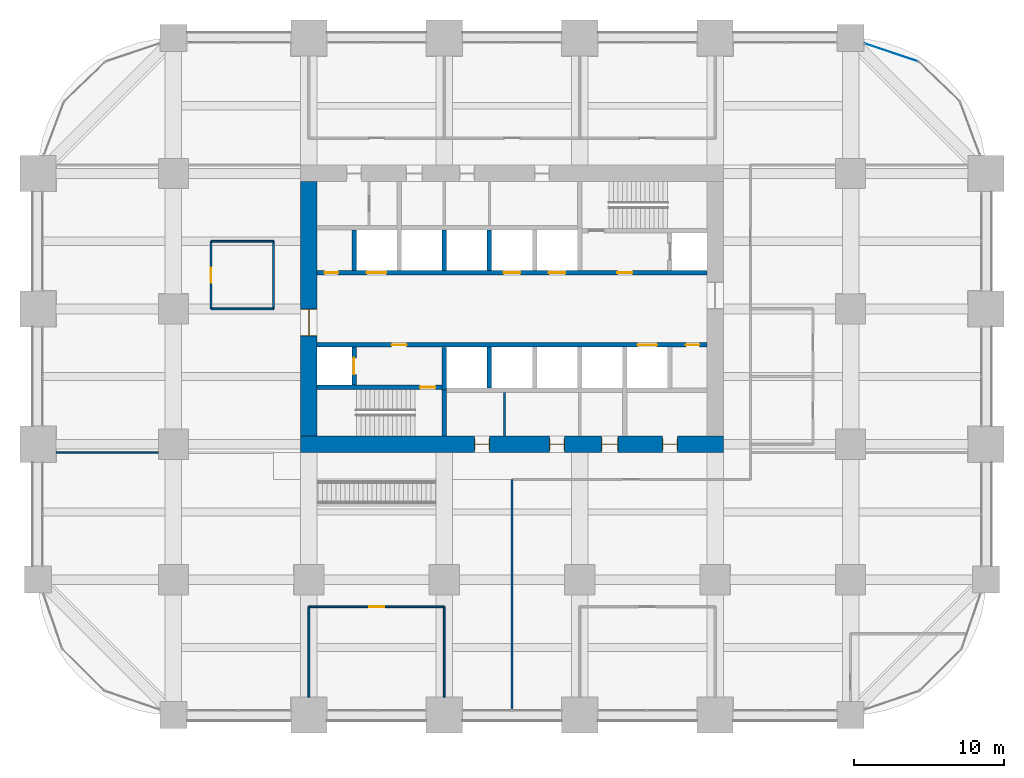
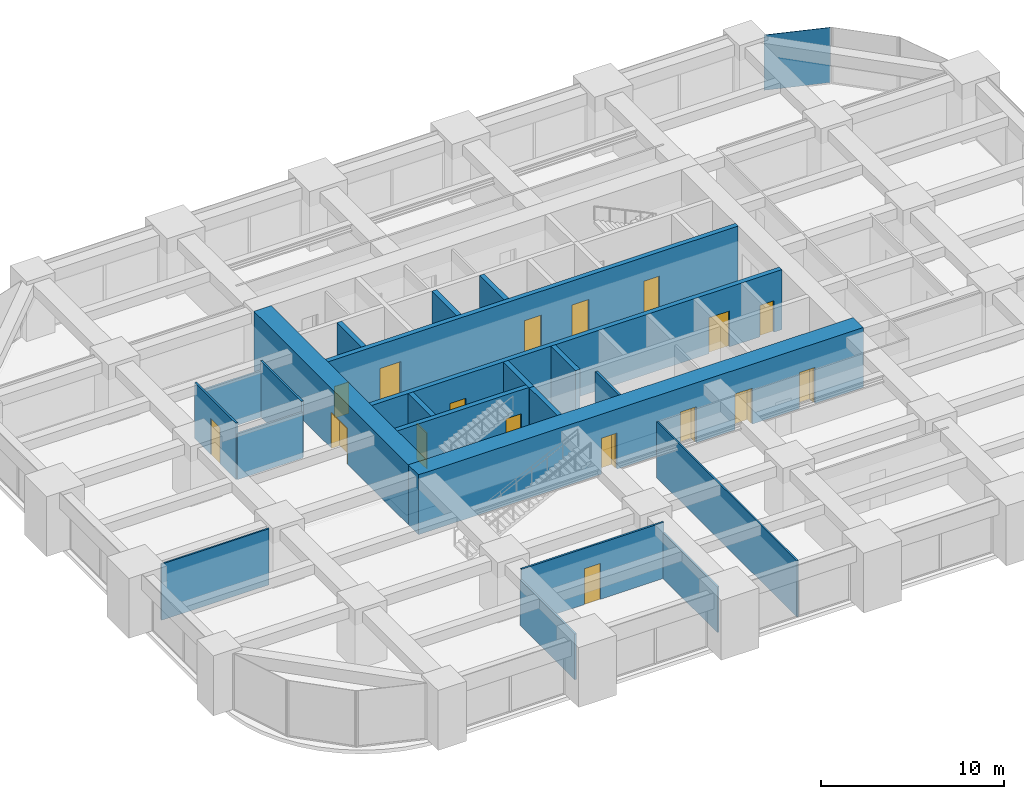
# One storey, part 36 of 39: 22 walls, 17 doors, 1 plate, 17 openings, 1 element without a shape of its own.
"""IFC4 building model written with IfcOpenShell, lengths in metres."""

from ifc_helpers import new_model, si_unit, direction, frame, frame_2d, origin, origin_2d, place, context, subcontext, project, spatial, rectangle, extrude, material, layer, layer_set, type_object, element, fill, aggregate, save


model = new_model("IFC4")

# Units and contexts
model_context = context("Model", 3, precision=1e-05, world=origin(), true_north=direction((0.0, 1.0)))
body_context = subcontext(model_context, "Body", "Model", "MODEL_VIEW")
ifc_project = project(units=[si_unit("LENGTHUNIT", "METRE"), si_unit("AREAUNIT", "SQUARE_METRE"), si_unit("VOLUMEUNIT", "CUBIC_METRE"), si_unit("PLANEANGLEUNIT", "RADIAN"), si_unit("MASSUNIT", "GRAM", prefix="KILO")], contexts=[model_context])

# Site, building, storey
site_placement = place(None, origin())
site = spatial("IfcSite", under=ifc_project, at=site_placement, CompositionType="ELEMENT")
building_placement = place(site_placement, origin())
building = spatial("IfcBuilding", under=site, at=building_placement, Name="Zorevar Civic Tower", CompositionType="ELEMENT")
storey_placement = place(building_placement, frame((0.0, 0.0, 117.0)))
storey = spatial("IfcBuildingStorey", under=building, at=storey_placement, Name="L28", CompositionType="ELEMENT", Elevation=117.0)

# Curtain wall, plate
ifc_material_1 = material(Name="Dark grey solar-control glass in black aluminium frame", Category="aluminium")
curtain_wall_type = type_object("IfcCurtainWallType", Name="Curtain wall CW3 mid zone", PredefinedType="NOTDEFINED", material=ifc_material_1)
curtain_wall_placement = place(storey_placement, origin())
curtain_wall = element("IfcCurtainWall", 1, at=curtain_wall_placement, inside=storey, type_object=curtain_wall_type, Name="CW3 L28", PredefinedType="NOTDEFINED")
ifc_material_2 = material(Name="Dark grey solar-control glass", Category="glass")
ifc_layer_1 = layer(ifc_material_2, 0.030029296875)
ifc_layer_set_1 = layer_set([ifc_layer_1], Name="CW3 panel 30")
plate_type = type_object("IfcPlateType", Name="CW3 panel 30", PredefinedType="CURTAIN_PANEL", material=ifc_layer_set_1)
plate_placement = place(storey_placement, frame((56.7109375, 44.04296875, 0.06005859375), z_axis=(0.0, 0.0, 1.0), x_axis=(-0.947615765406, 0.319412525043, 0.0)))
plate = element("IfcPlate", 2, at=plate_placement, type_object=plate_type, Name="CW3 panel 1.1", PredefinedType="CURTAIN_PANEL", context=body_context, shape_type="SweptSolid", body=[
    extrude(rectangle(XDim=3.7021484375, YDim=0.030029296875, at=origin_2d()), origin(), (0.0, 0.0, 1.0), 3.68994140625),
])
aggregate(curtain_wall, [plate])

# Wall, openings, doors
ifc_material_3 = material(Name="Concrete C50/60", Category="concrete")
ifc_layer_2 = layer(ifc_material_3, 1.10009765625)
ifc_layer_set_2 = layer_set([ifc_layer_2], Name="Core wall 1100")
wall_type_1 = type_object("IfcWallType", Name="Core wall 1100", PredefinedType="SHEAR", material=ifc_layer_set_2)
wall_1_placement = place(storey_placement, frame((17.449951171875, 18.0, 0.0), z_axis=(0.0, 0.0, 1.0), x_axis=(1.0, 0.0, 0.0)))
wall_1 = element("IfcWall", 3, at=wall_1_placement, inside=storey, type_object=wall_type_1, Name="Core wall S L28", PredefinedType="SHEAR", context=body_context, shape_type="SweptSolid", body=[
    extrude(rectangle(XDim=28.10009765625, YDim=1.10009765625, at=frame_2d((14.050048828125, 0.0))), origin(), (0.0, 0.0, 1.0), 4.0),
])
opening_1_placement = place(wall_1_placement, frame((11.550048828125, 0.0, 0.0)))
opening_1 = element("IfcOpeningElement", 4, at=opening_1_placement, cuts=wall_1, Name="Opening L28.03", PredefinedType="OPENING", context=body_context, shape_type="SweptSolid", body=[
    extrude(rectangle(XDim=1.0, YDim=2.39990234375, at=frame_2d((0.5, 1.199951171875))), frame((0.0, 0.56005859375, 0.0), z_axis=(0.0, -1.0, 0.0), x_axis=(1.0, 0.0, 0.0)), (0.0, 0.0, 1.0), 1.1201171875),
])
opening_2_placement = place(wall_1_placement, frame((16.550048828125, 0.0, 0.0)))
opening_2 = element("IfcOpeningElement", 5, at=opening_2_placement, cuts=wall_1, Name="Opening L28.04", PredefinedType="OPENING", context=body_context, shape_type="SweptSolid", body=[
    extrude(rectangle(XDim=1.0, YDim=2.39990234375, at=frame_2d((0.5, 1.199951171875))), frame((0.0, 0.56005859375, 0.0), z_axis=(0.0, -1.0, 0.0), x_axis=(1.0, 0.0, 0.0)), (0.0, 0.0, 1.0), 1.1201171875),
])
opening_3_placement = place(wall_1_placement, frame((20.0, 0.0, 0.0)))
opening_3 = element("IfcOpeningElement", 6, at=opening_3_placement, cuts=wall_1, Name="Opening L28.05", PredefinedType="OPENING", context=body_context, shape_type="SweptSolid", body=[
    extrude(rectangle(XDim=1.10009765625, YDim=2.39990234375, at=frame_2d((0.550048828125, 1.199951171875))), frame((0.0, 0.56005859375, 0.0), z_axis=(0.0, -1.0, 0.0), x_axis=(1.0, 0.0, 0.0)), (0.0, 0.0, 1.0), 1.1201171875),
])
opening_4_placement = place(wall_1_placement, frame((24.050048828125, 0.0, 0.0)))
opening_4 = element("IfcOpeningElement", 7, at=opening_4_placement, cuts=wall_1, Name="Opening L28.06", PredefinedType="OPENING", context=body_context, shape_type="SweptSolid", body=[
    extrude(rectangle(XDim=1.0, YDim=2.39990234375, at=frame_2d((0.5, 1.199951171875))), frame((0.0, 0.56005859375, 0.0), z_axis=(0.0, -1.0, 0.0), x_axis=(1.0, 0.0, 0.0)), (0.0, 0.0, 1.0), 1.1201171875),
])
ifc_material_4 = material(Name="Timber door set", Category="wood")
door_type_1 = type_object("IfcDoorType", Name="Door D1 1000x2400", OperationType="SINGLE_SWING_LEFT", PredefinedType="DOOR", material=ifc_material_4)
door_1_placement = place(opening_1_placement, origin())
door_1 = element("IfcDoor", 8, at=door_1_placement, inside=storey, type_object=door_type_1, Name="Door L28 02", OperationType="SINGLE_SWING_RIGHT", OverallHeight=2.39990234375, OverallWidth=1.0, PredefinedType="DOOR", context=body_context, shape_type="SweptSolid", body=[
    extrude(rectangle(XDim=1.0, YDim=2.39990234375, at=frame_2d((0.5, 1.199951171875))), frame((0.0, 0.02490234375, 0.0), z_axis=(0.0, -1.0, 0.0), x_axis=(1.0, 0.0, 0.0)), (0.0, 0.0, 1.0), 0.050048828125),
    extrude(rectangle(XDim=0.04, YDim=2.39990234375, at=frame_2d((0.02001953125, 1.199951171875))), frame((0.0, 0.39990234375, 0.0), z_axis=(0.0, -1.0, 0.0), x_axis=(1.0, 0.0, 0.0)), (0.0, 0.0, 1.0), 0.800048828125),
    extrude(rectangle(XDim=0.04, YDim=2.39990234375, at=frame_2d((0.97998046875, 1.199951171875))), frame((0.0, 0.39990234375, 0.0), z_axis=(0.0, -1.0, 0.0), x_axis=(1.0, 0.0, 0.0)), (0.0, 0.0, 1.0), 0.800048828125),
    extrude(rectangle(XDim=1.0, YDim=0.04, at=frame_2d((0.5, 2.3798828125))), frame((0.0, 0.39990234375, 0.0), z_axis=(0.0, -1.0, 0.0), x_axis=(1.0, 0.0, 0.0)), (0.0, 0.0, 1.0), 0.800048828125),
])
fill(opening_1, door_1)
door_2_placement = place(opening_2_placement, origin())
door_2 = element("IfcDoor", 9, at=door_2_placement, inside=storey, type_object=door_type_1, Name="Door L28 03", OperationType="SINGLE_SWING_LEFT", OverallHeight=2.39990234375, OverallWidth=1.0, PredefinedType="DOOR", context=body_context, shape_type="SweptSolid", body=[
    extrude(rectangle(XDim=1.0, YDim=2.39990234375, at=frame_2d((0.5, 1.199951171875))), frame((0.0, 0.02490234375, 0.0), z_axis=(0.0, -1.0, 0.0), x_axis=(1.0, 0.0, 0.0)), (0.0, 0.0, 1.0), 0.050048828125),
    extrude(rectangle(XDim=0.04, YDim=2.39990234375, at=frame_2d((0.02001953125, 1.199951171875))), frame((0.0, 0.39990234375, 0.0), z_axis=(0.0, -1.0, 0.0), x_axis=(1.0, 0.0, 0.0)), (0.0, 0.0, 1.0), 0.800048828125),
    extrude(rectangle(XDim=0.04, YDim=2.39990234375, at=frame_2d((0.97998046875, 1.199951171875))), frame((0.0, 0.39990234375, 0.0), z_axis=(0.0, -1.0, 0.0), x_axis=(1.0, 0.0, 0.0)), (0.0, 0.0, 1.0), 0.800048828125),
    extrude(rectangle(XDim=1.0, YDim=0.04, at=frame_2d((0.5, 2.3798828125))), frame((0.0, 0.39990234375, 0.0), z_axis=(0.0, -1.0, 0.0), x_axis=(1.0, 0.0, 0.0)), (0.0, 0.0, 1.0), 0.800048828125),
])
fill(opening_2, door_2)
door_3_placement = place(opening_4_placement, origin())
door_3 = element("IfcDoor", 10, at=door_3_placement, inside=storey, type_object=door_type_1, Name="Door L28 05", OperationType="SINGLE_SWING_LEFT", OverallHeight=2.39990234375, OverallWidth=1.0, PredefinedType="DOOR", context=body_context, shape_type="SweptSolid", body=[
    extrude(rectangle(XDim=1.0, YDim=2.39990234375, at=frame_2d((0.5, 1.199951171875))), frame((0.0, 0.02490234375, 0.0), z_axis=(0.0, -1.0, 0.0), x_axis=(1.0, 0.0, 0.0)), (0.0, 0.0, 1.0), 0.050048828125),
    extrude(rectangle(XDim=0.04, YDim=2.39990234375, at=frame_2d((0.02001953125, 1.199951171875))), frame((0.0, 0.39990234375, 0.0), z_axis=(0.0, -1.0, 0.0), x_axis=(1.0, 0.0, 0.0)), (0.0, 0.0, 1.0), 0.800048828125),
    extrude(rectangle(XDim=0.04, YDim=2.39990234375, at=frame_2d((0.97998046875, 1.199951171875))), frame((0.0, 0.39990234375, 0.0), z_axis=(0.0, -1.0, 0.0), x_axis=(1.0, 0.0, 0.0)), (0.0, 0.0, 1.0), 0.800048828125),
    extrude(rectangle(XDim=1.0, YDim=0.04, at=frame_2d((0.5, 2.3798828125))), frame((0.0, 0.39990234375, 0.0), z_axis=(0.0, -1.0, 0.0), x_axis=(1.0, 0.0, 0.0)), (0.0, 0.0, 1.0), 0.800048828125),
])
fill(opening_4, door_3)
ifc_material_5 = material(Name="Timber door set", Category="wood")
door_type_2 = type_object("IfcDoorType", Name="Door D5 1100x2400", OperationType="SINGLE_SWING_LEFT", PredefinedType="DOOR", material=ifc_material_5)
door_4_placement = place(opening_3_placement, origin())
door_4 = element("IfcDoor", 11, at=door_4_placement, inside=storey, type_object=door_type_2, Name="Door L28 04", OperationType="SINGLE_SWING_LEFT", OverallHeight=2.39990234375, OverallWidth=1.10009765625, PredefinedType="DOOR", context=body_context, shape_type="SweptSolid", body=[
    extrude(rectangle(XDim=1.10009765625, YDim=2.39990234375, at=frame_2d((0.550048828125, 1.199951171875))), frame((0.0, 0.02490234375, 0.0), z_axis=(0.0, -1.0, 0.0), x_axis=(1.0, 0.0, 0.0)), (0.0, 0.0, 1.0), 0.050048828125),
    extrude(rectangle(XDim=0.04, YDim=2.39990234375, at=frame_2d((0.02001953125, 1.199951171875))), frame((0.0, 0.43994140625, 0.0), z_axis=(0.0, -1.0, 0.0), x_axis=(1.0, 0.0, 0.0)), (0.0, 0.0, 1.0), 0.880126953125),
    extrude(rectangle(XDim=0.04, YDim=2.39990234375, at=frame_2d((1.080078125, 1.199951171875))), frame((0.0, 0.43994140625, 0.0), z_axis=(0.0, -1.0, 0.0), x_axis=(1.0, 0.0, 0.0)), (0.0, 0.0, 1.0), 0.880126953125),
    extrude(rectangle(XDim=1.10009765625, YDim=0.04, at=frame_2d((0.550048828125, 2.3798828125))), frame((0.0, 0.43994140625, 0.0), z_axis=(0.0, -1.0, 0.0), x_axis=(1.0, 0.0, 0.0)), (0.0, 0.0, 1.0), 0.880126953125),
])
fill(opening_3, door_4)

# Wall, opening, door
wall_2_placement = place(storey_placement, frame((18.0, 35.449951171875, 0.0), z_axis=(0.0, 0.0, 1.0), x_axis=(0.0, -1.0, 0.0)))
wall_2 = element("IfcWall", 12, at=wall_2_placement, inside=storey, type_object=wall_type_1, Name="Core wall W L28", PredefinedType="SHEAR", context=body_context, shape_type="SweptSolid", body=[
    extrude(rectangle(XDim=16.89990234375, YDim=1.10009765625, at=frame_2d((8.449951171875, 0.0))), origin(), (0.0, 0.0, 1.0), 4.0),
])
opening_5_placement = place(wall_2_placement, frame((8.449951171875, 0.0, 0.0)))
opening_5 = element("IfcOpeningElement", 13, at=opening_5_placement, cuts=wall_2, Name="Opening L28.01", PredefinedType="OPENING", context=body_context, shape_type="SweptSolid", body=[
    extrude(rectangle(XDim=1.800048828125, YDim=2.39990234375, at=frame_2d((0.89990234375, 1.199951171875))), frame((0.0, 0.56005859375, 0.0), z_axis=(0.0, -1.0, 0.0), x_axis=(1.0, 0.0, 0.0)), (0.0, 0.0, 1.0), 1.1201171875),
])
ifc_material_6 = material(Name="Steel door set", Category="steel")
door_type_3 = type_object("IfcDoorType", Name="Fire door FD2 1800x2400", OperationType="DOUBLE_DOOR_DOUBLE_SWING", PredefinedType="DOOR", material=ifc_material_6)
door_5_placement = place(opening_5_placement, origin())
door_5 = element("IfcDoor", 14, at=door_5_placement, inside=storey, type_object=door_type_3, Name="Door L28 00", OperationType="DOUBLE_DOOR_DOUBLE_SWING", OverallHeight=2.39990234375, OverallWidth=1.800048828125, PredefinedType="DOOR", context=body_context, shape_type="SweptSolid", body=[
    extrude(rectangle(XDim=1.800048828125, YDim=2.39990234375, at=frame_2d((0.89990234375, 1.199951171875))), frame((0.0, 0.030029296875, 0.0), z_axis=(0.0, -1.0, 0.0), x_axis=(1.0, 0.0, 0.0)), (0.0, 0.0, 1.0), 0.06005859375),
    extrude(rectangle(XDim=0.04, YDim=2.39990234375, at=frame_2d((0.02001953125, 1.199951171875))), frame((0.0, 0.5498046875, 0.0), z_axis=(0.0, -1.0, 0.0), x_axis=(1.0, 0.0, 0.0)), (0.0, 0.0, 1.0), 1.099609375),
    extrude(rectangle(XDim=0.04, YDim=2.39990234375, at=frame_2d((1.780029296875, 1.199951171875))), frame((0.0, 0.5498046875, 0.0), z_axis=(0.0, -1.0, 0.0), x_axis=(1.0, 0.0, 0.0)), (0.0, 0.0, 1.0), 1.099609375),
    extrude(rectangle(XDim=1.800048828125, YDim=0.04, at=frame_2d((0.89990234375, 2.3798828125))), frame((0.0, 0.5498046875, 0.0), z_axis=(0.0, -1.0, 0.0), x_axis=(1.0, 0.0, 0.0)), (0.0, 0.0, 1.0), 1.099609375),
])
fill(opening_5, door_5)

# Walls
ifc_material_7 = material(Name="Laminated glass in black aluminium frame", Category="aluminium")
ifc_layer_3 = layer(ifc_material_7, 0.10009765625)
ifc_layer_set_3 = layer_set([ifc_layer_3], Name="Glazed partition 100")
wall_type_2 = type_object("IfcWallType", Name="Glazed partition 100", PredefinedType="PARTITIONING", material=ifc_layer_set_3)
wall_3_placement = place(storey_placement, frame((1.199951171875, 17.449951171875, 0.0), z_axis=(0.0, 0.0, 1.0), x_axis=(1.0, 0.0, 0.0)))
element("IfcWall", 15, at=wall_3_placement, inside=storey, type_object=wall_type_2, Name="Glazed partition 100 L28", PredefinedType="PARTITIONING", context=body_context, shape_type="SweptSolid", body=[
    extrude(rectangle(XDim=6.800048828125, YDim=0.10009765625, at=frame_2d((3.39990234375, 0.0))), origin(), (0.0, 0.0, 1.0), 3.75),
])
wall_4_placement = place(storey_placement, frame((31.5, 0.31005859375, 0.0), z_axis=(0.0, 0.0, 1.0), x_axis=(0.0, 1.0, 0.0)))
element("IfcWall", 16, at=wall_4_placement, inside=storey, type_object=wall_type_2, Name="Glazed partition 100 L28", PredefinedType="PARTITIONING", context=body_context, shape_type="SweptSolid", body=[
    extrude(rectangle(XDim=15.33984375, YDim=0.10009765625, at=frame_2d((7.669921875, 0.0))), origin(), (0.0, 0.0, 1.0), 3.75),
])

# Wall, opening, door
ifc_material_8 = material(Name="Concrete C40/50", Category="concrete")
ifc_layer_4 = layer(ifc_material_8, 0.300048828125)
ifc_layer_set_4 = layer_set([ifc_layer_4], Name="Inner core wall 300")
wall_type_3 = type_object("IfcWallType", Name="Inner core wall 300", PredefinedType="SHEAR", material=ifc_layer_set_4)
wall_5_placement = place(storey_placement, frame((18.550048828125, 21.800048828125, 0.0), z_axis=(0.0, 0.0, 1.0), x_axis=(1.0, 0.0, 0.0)))
wall_5 = element("IfcWall", 17, at=wall_5_placement, inside=storey, type_object=wall_type_3, Name="Inner core wall S00 L28", PredefinedType="SHEAR", context=body_context, shape_type="SweptSolid", body=[
    extrude(rectangle(XDim=8.300048828125, YDim=0.300048828125, at=frame_2d((4.14990234375, 0.0))), origin(), (0.0, 0.0, 1.0), 4.0),
])
opening_6_placement = place(wall_5_placement, frame((6.85009765625, 0.0, 0.0)))
opening_6 = element("IfcOpeningElement", 18, at=opening_6_placement, cuts=wall_5, Name="Opening L28.11", PredefinedType="OPENING", context=body_context, shape_type="SweptSolid", body=[
    extrude(rectangle(XDim=1.0, YDim=2.39990234375, at=frame_2d((0.5, 1.199951171875))), frame((0.0, 0.159912109375, 0.0), z_axis=(0.0, -1.0, 0.0), x_axis=(1.0, 0.0, 0.0)), (0.0, 0.0, 1.0), 0.320068359375),
])
ifc_material_9 = material(Name="Steel door set", Category="steel")
door_type_4 = type_object("IfcDoorType", Name="Fire door FD1 1000x2400", OperationType="SINGLE_SWING_LEFT", PredefinedType="DOOR", material=ifc_material_9)
door_6_placement = place(opening_6_placement, origin())
door_6 = element("IfcDoor", 19, at=door_6_placement, inside=storey, type_object=door_type_4, Name="Door L28 10", OperationType="SINGLE_SWING_RIGHT", OverallHeight=2.39990234375, OverallWidth=1.0, PredefinedType="DOOR", context=body_context, shape_type="SweptSolid", body=[
    extrude(rectangle(XDim=1.0, YDim=2.39990234375, at=frame_2d((0.5, 1.199951171875))), frame((0.0, 0.030029296875, 0.0), z_axis=(0.0, -1.0, 0.0), x_axis=(1.0, 0.0, 0.0)), (0.0, 0.0, 1.0), 0.06005859375),
])
fill(opening_6, door_6)

# Wall
wall_6_placement = place(storey_placement, frame((27.0, 18.550048828125, 0.0), z_axis=(0.0, 0.0, 1.0), x_axis=(0.0, 1.0, 0.0)))
element("IfcWall", 20, at=wall_6_placement, inside=storey, type_object=wall_type_3, Name="Inner core wall S01 L28", PredefinedType="SHEAR", context=body_context, shape_type="SweptSolid", body=[
    extrude(rectangle(XDim=3.050048828125, YDim=0.300048828125, at=frame_2d((1.52490234375, 0.0))), origin(), (0.0, 0.0, 1.0), 4.0),
])

# Wall, opening, door
wall_7_placement = place(storey_placement, frame((21.0, 21.949951171875, 0.0), z_axis=(0.0, 0.0, 1.0), x_axis=(0.0, 1.0, 0.0)))
wall_7 = element("IfcWall", 21, at=wall_7_placement, inside=storey, type_object=wall_type_3, Name="Inner core wall S02 L28", PredefinedType="SHEAR", context=body_context, shape_type="SweptSolid", body=[
    extrude(rectangle(XDim=2.5, YDim=0.300048828125, at=frame_2d((1.25, 0.0))), origin(), (0.0, 0.0, 1.0), 4.0),
])
opening_7_placement = place(wall_7_placement, frame((0.699951171875, 0.0, 0.0)))
opening_7 = element("IfcOpeningElement", 22, at=opening_7_placement, cuts=wall_7, Name="Opening L28.FL1", PredefinedType="OPENING", context=body_context, shape_type="SweptSolid", body=[
    extrude(rectangle(XDim=1.10009765625, YDim=2.39990234375, at=frame_2d((0.550048828125, 1.199951171875))), frame((0.0, 0.159912109375, 0.0), z_axis=(0.0, -1.0, 0.0), x_axis=(1.0, 0.0, 0.0)), (0.0, 0.0, 1.0), 0.320068359375),
])
ifc_material_10 = material(Name="Steel door set", Category="steel")
door_type_5 = type_object("IfcDoorType", Name="Firefighting lift landing door LD3 1100x2400", OperationType="DOUBLE_DOOR_SLIDING", PredefinedType="DOOR", material=ifc_material_10)
door_7_placement = place(opening_7_placement, origin())
door_7 = element("IfcDoor", 23, at=door_7_placement, inside=storey, type_object=door_type_5, Name="Landing door FL1 L28", OperationType="DOUBLE_DOOR_SLIDING", OverallHeight=2.39990234375, OverallWidth=1.10009765625, PredefinedType="DOOR", context=body_context, shape_type="SweptSolid", body=[
    extrude(rectangle(XDim=1.10009765625, YDim=2.39990234375, at=frame_2d((0.550048828125, 1.199951171875))), frame((0.0, 0.030029296875, 0.0), z_axis=(0.0, -1.0, 0.0), x_axis=(1.0, 0.0, 0.0)), (0.0, 0.0, 1.0), 0.06005859375),
])
fill(opening_7, door_7)

# Wall, openings, doors
wall_8_placement = place(storey_placement, frame((18.550048828125, 24.60009765625, 0.0), z_axis=(0.0, 0.0, 1.0), x_axis=(1.0, 0.0, 0.0)))
wall_8 = element("IfcWall", 24, at=wall_8_placement, inside=storey, type_object=wall_type_3, Name="Inner core wall S03 L28", PredefinedType="SHEAR", context=body_context, shape_type="SweptSolid", body=[
    extrude(rectangle(XDim=25.89990234375, YDim=0.300048828125, at=frame_2d((12.949951171875, 0.0))), origin(), (0.0, 0.0, 1.0), 4.0),
])
opening_8_placement = place(wall_8_placement, frame((4.949951171875, 0.0, 0.0)))
opening_8 = element("IfcOpeningElement", 25, at=opening_8_placement, cuts=wall_8, Name="Opening L28.13", PredefinedType="OPENING", context=body_context, shape_type="SweptSolid", body=[
    extrude(rectangle(XDim=1.0, YDim=2.39990234375, at=frame_2d((0.5, 1.199951171875))), frame((0.0, 0.159912109375, 0.0), z_axis=(0.0, -1.0, 0.0), x_axis=(1.0, 0.0, 0.0)), (0.0, 0.0, 1.0), 0.320068359375),
])
opening_9_placement = place(wall_8_placement, frame((24.5, 0.0, 0.0)))
opening_9 = element("IfcOpeningElement", 26, at=opening_9_placement, cuts=wall_8, Name="Opening L28.15", PredefinedType="OPENING", context=body_context, shape_type="SweptSolid", body=[
    extrude(rectangle(XDim=0.89990234375, YDim=2.10009765625, at=frame_2d((0.449951171875, 1.050048828125))), frame((0.0, 0.159912109375, 0.0), z_axis=(0.0, -1.0, 0.0), x_axis=(1.0, 0.0, 0.0)), (0.0, 0.0, 1.0), 0.320068359375),
])
opening_10_placement = place(wall_8_placement, frame((21.300048828125, 0.0, 0.0)))
opening_10 = element("IfcOpeningElement", 27, at=opening_10_placement, cuts=wall_8, Name="Opening L28.SL1", PredefinedType="OPENING", context=body_context, shape_type="SweptSolid", body=[
    extrude(rectangle(XDim=1.300048828125, YDim=2.39990234375, at=frame_2d((0.64990234375, 1.199951171875))), frame((0.0, 0.159912109375, 0.0), z_axis=(0.0, -1.0, 0.0), x_axis=(1.0, 0.0, 0.0)), (0.0, 0.0, 1.0), 0.320068359375),
])
door_8_placement = place(opening_8_placement, origin())
door_8 = element("IfcDoor", 28, at=door_8_placement, inside=storey, type_object=door_type_4, Name="Door L28 12", OperationType="SINGLE_SWING_RIGHT", OverallHeight=2.39990234375, OverallWidth=1.0, PredefinedType="DOOR", context=body_context, shape_type="SweptSolid", body=[
    extrude(rectangle(XDim=1.0, YDim=2.39990234375, at=frame_2d((0.5, 1.199951171875))), frame((0.0, 0.030029296875, 0.0), z_axis=(0.0, -1.0, 0.0), x_axis=(1.0, 0.0, 0.0)), (0.0, 0.0, 1.0), 0.06005859375),
])
fill(opening_8, door_8)
ifc_material_11 = material(Name="Steel door set", Category="steel")
door_type_6 = type_object("IfcDoorType", Name="Landing door LD2 1300x2400", OperationType="DOUBLE_DOOR_SLIDING", PredefinedType="DOOR", material=ifc_material_11)
door_9_placement = place(opening_10_placement, origin())
door_9 = element("IfcDoor", 29, at=door_9_placement, inside=storey, type_object=door_type_6, Name="Landing door SL1 L28", OperationType="DOUBLE_DOOR_SLIDING", OverallHeight=2.39990234375, OverallWidth=1.300048828125, PredefinedType="DOOR", context=body_context, shape_type="SweptSolid", body=[
    extrude(rectangle(XDim=1.300048828125, YDim=2.39990234375, at=frame_2d((0.64990234375, 1.199951171875))), frame((0.0, 0.02001953125, 0.0), z_axis=(0.0, -1.0, 0.0), x_axis=(1.0, 0.0, 0.0)), (0.0, 0.0, 1.0), 0.0400390625),
])
fill(opening_10, door_9)
ifc_material_12 = material(Name="Steel door set", Category="steel")
door_type_7 = type_object("IfcDoorType", Name="Riser door RD1 900x2100", OperationType="SINGLE_SWING_LEFT", PredefinedType="DOOR", material=ifc_material_12)
door_10_placement = place(opening_9_placement, origin())
door_10 = element("IfcDoor", 30, at=door_10_placement, inside=storey, type_object=door_type_7, Name="Door L28 14", OperationType="SINGLE_SWING_RIGHT", OverallHeight=2.10009765625, OverallWidth=0.89990234375, PredefinedType="DOOR", context=body_context, shape_type="SweptSolid", body=[
    extrude(rectangle(XDim=0.89990234375, YDim=2.10009765625, at=frame_2d((0.449951171875, 1.050048828125))), frame((0.0, 0.030029296875, 0.0), z_axis=(0.0, -1.0, 0.0), x_axis=(1.0, 0.0, 0.0)), (0.0, 0.0, 1.0), 0.06005859375),
])
fill(opening_9, door_10)

wall_9_placement = place(storey_placement, frame((18.550048828125, 29.39990234375, 0.0), z_axis=(0.0, 0.0, 1.0), x_axis=(1.0, 0.0, 0.0)))
wall_9 = element("IfcWall", 31, at=wall_9_placement, inside=storey, type_object=wall_type_3, Name="Inner core wall N03 L28", PredefinedType="SHEAR", context=body_context, shape_type="SweptSolid", body=[
    extrude(rectangle(XDim=25.89990234375, YDim=0.300048828125, at=frame_2d((12.949951171875, 0.0))), origin(), (0.0, 0.0, 1.0), 4.0),
])
opening_11_placement = place(wall_9_placement, frame((19.949951171875, 0.0, 0.0)))
opening_11 = element("IfcOpeningElement", 32, at=opening_11_placement, cuts=wall_9, Name="Opening L28.14", PredefinedType="OPENING", context=body_context, shape_type="SweptSolid", body=[
    extrude(rectangle(XDim=1.0, YDim=2.39990234375, at=frame_2d((0.5, 1.199951171875))), frame((0.0, 0.159912109375, 0.0), z_axis=(0.0, -1.0, 0.0), x_axis=(1.0, 0.0, 0.0)), (0.0, 0.0, 1.0), 0.320068359375),
])
opening_12_placement = place(wall_9_placement, frame((0.5, 0.0, 0.0)))
opening_12 = element("IfcOpeningElement", 33, at=opening_12_placement, cuts=wall_9, Name="Opening L28.16", PredefinedType="OPENING", context=body_context, shape_type="SweptSolid", body=[
    extrude(rectangle(XDim=0.89990234375, YDim=2.10009765625, at=frame_2d((0.449951171875, 1.050048828125))), frame((0.0, 0.159912109375, 0.0), z_axis=(0.0, -1.0, 0.0), x_axis=(1.0, 0.0, 0.0)), (0.0, 0.0, 1.0), 0.320068359375),
])
opening_13_placement = place(wall_9_placement, frame((15.39990234375, 0.0, 0.0)))
opening_13 = element("IfcOpeningElement", 34, at=opening_13_placement, cuts=wall_9, Name="Opening L28.LM1", PredefinedType="OPENING", context=body_context, shape_type="SweptSolid", body=[
    extrude(rectangle(XDim=1.10009765625, YDim=2.39990234375, at=frame_2d((0.550048828125, 1.199951171875))), frame((0.0, 0.159912109375, 0.0), z_axis=(0.0, -1.0, 0.0), x_axis=(1.0, 0.0, 0.0)), (0.0, 0.0, 1.0), 0.320068359375),
])
opening_14_placement = place(wall_9_placement, frame((12.39990234375, 0.0, 0.0)))
opening_14 = element("IfcOpeningElement", 35, at=opening_14_placement, cuts=wall_9, Name="Opening L28.LM2", PredefinedType="OPENING", context=body_context, shape_type="SweptSolid", body=[
    extrude(rectangle(XDim=1.10009765625, YDim=2.39990234375, at=frame_2d((0.550048828125, 1.199951171875))), frame((0.0, 0.159912109375, 0.0), z_axis=(0.0, -1.0, 0.0), x_axis=(1.0, 0.0, 0.0)), (0.0, 0.0, 1.0), 0.320068359375),
])
opening_15_placement = place(wall_9_placement, frame((3.300048828125, 0.0, 0.0)))
opening_15 = element("IfcOpeningElement", 36, at=opening_15_placement, cuts=wall_9, Name="Opening L28.SL2", PredefinedType="OPENING", context=body_context, shape_type="SweptSolid", body=[
    extrude(rectangle(XDim=1.300048828125, YDim=2.39990234375, at=frame_2d((0.64990234375, 1.199951171875))), frame((0.0, 0.159912109375, 0.0), z_axis=(0.0, -1.0, 0.0), x_axis=(1.0, 0.0, 0.0)), (0.0, 0.0, 1.0), 0.320068359375),
])
door_11_placement = place(opening_11_placement, origin())
door_11 = element("IfcDoor", 37, at=door_11_placement, inside=storey, type_object=door_type_4, Name="Door L28 13", OperationType="SINGLE_SWING_RIGHT", OverallHeight=2.39990234375, OverallWidth=1.0, PredefinedType="DOOR", context=body_context, shape_type="SweptSolid", body=[
    extrude(rectangle(XDim=1.0, YDim=2.39990234375, at=frame_2d((0.5, 1.199951171875))), frame((0.0, 0.030029296875, 0.0), z_axis=(0.0, -1.0, 0.0), x_axis=(1.0, 0.0, 0.0)), (0.0, 0.0, 1.0), 0.06005859375),
])
fill(opening_11, door_11)
ifc_material_13 = material(Name="Steel door set", Category="steel")
door_type_8 = type_object("IfcDoorType", Name="Landing door LD1 1100x2400", OperationType="DOUBLE_DOOR_SLIDING", PredefinedType="DOOR", material=ifc_material_13)
door_12_placement = place(opening_13_placement, origin())
door_12 = element("IfcDoor", 38, at=door_12_placement, inside=storey, type_object=door_type_8, Name="Landing door LM1 L28", OperationType="DOUBLE_DOOR_SLIDING", OverallHeight=2.39990234375, OverallWidth=1.10009765625, PredefinedType="DOOR", context=body_context, shape_type="SweptSolid", body=[
    extrude(rectangle(XDim=1.10009765625, YDim=2.39990234375, at=frame_2d((0.550048828125, 1.199951171875))), frame((0.0, 0.02001953125, 0.0), z_axis=(0.0, -1.0, 0.0), x_axis=(1.0, 0.0, 0.0)), (0.0, 0.0, 1.0), 0.0400390625),
])
fill(opening_13, door_12)
door_13_placement = place(opening_14_placement, origin())
door_13 = element("IfcDoor", 39, at=door_13_placement, inside=storey, type_object=door_type_8, Name="Landing door LM2 L28", OperationType="DOUBLE_DOOR_SLIDING", OverallHeight=2.39990234375, OverallWidth=1.10009765625, PredefinedType="DOOR", context=body_context, shape_type="SweptSolid", body=[
    extrude(rectangle(XDim=1.10009765625, YDim=2.39990234375, at=frame_2d((0.550048828125, 1.199951171875))), frame((0.0, 0.02001953125, 0.0), z_axis=(0.0, -1.0, 0.0), x_axis=(1.0, 0.0, 0.0)), (0.0, 0.0, 1.0), 0.0400390625),
])
fill(opening_14, door_13)
door_14_placement = place(opening_15_placement, origin())
door_14 = element("IfcDoor", 40, at=door_14_placement, inside=storey, type_object=door_type_6, Name="Landing door SL2 L28", OperationType="DOUBLE_DOOR_SLIDING", OverallHeight=2.39990234375, OverallWidth=1.300048828125, PredefinedType="DOOR", context=body_context, shape_type="SweptSolid", body=[
    extrude(rectangle(XDim=1.300048828125, YDim=2.39990234375, at=frame_2d((0.64990234375, 1.199951171875))), frame((0.0, 0.02001953125, 0.0), z_axis=(0.0, -1.0, 0.0), x_axis=(1.0, 0.0, 0.0)), (0.0, 0.0, 1.0), 0.0400390625),
])
fill(opening_15, door_14)
door_15_placement = place(opening_12_placement, origin())
door_15 = element("IfcDoor", 41, at=door_15_placement, inside=storey, type_object=door_type_7, Name="Door L28 15", OperationType="SINGLE_SWING_RIGHT", OverallHeight=2.10009765625, OverallWidth=0.89990234375, PredefinedType="DOOR", context=body_context, shape_type="SweptSolid", body=[
    extrude(rectangle(XDim=0.89990234375, YDim=2.10009765625, at=frame_2d((0.449951171875, 1.050048828125))), frame((0.0, 0.030029296875, 0.0), z_axis=(0.0, -1.0, 0.0), x_axis=(1.0, 0.0, 0.0)), (0.0, 0.0, 1.0), 0.06005859375),
])
fill(opening_12, door_15)

# Walls
for number, where, z_axis, x_axis, name in (
    (42, (30.0, 21.75, 0.0), (0.0, 0.0, 1.0), (0.0, 1.0, 0.0), "Inner core wall S05 L28"),
    (43, (30.0, 29.550048828125, 0.0), (0.0, 0.0, 1.0), (0.0, 1.0, 0.0), "Inner core wall N06 L28"),
    (44, (27.0, 29.550048828125, 0.0), (0.0, 0.0, 1.0), (0.0, 1.0, 0.0), "Inner core wall N07 L28"),
    (45, (21.0, 29.550048828125, 0.0), (0.0, 0.0, 1.0), (0.0, 1.0, 0.0), "Inner core wall N09 L28"),
):
    element("IfcWall", number, at=place(storey_placement, frame(where, z_axis=z_axis, x_axis=x_axis)), inside=storey, type_object=wall_type_3, Name=name, PredefinedType="SHEAR", context=body_context, shape_type="SweptSolid", body=[
        extrude(rectangle(XDim=2.699951171875, YDim=0.300048828125, at=frame_2d((1.35009765625, 0.0))), origin(), (0.0, 0.0, 1.0), 4.0),
    ])
wall_10_placement = place(storey_placement, frame((27.0, 21.60009765625, 0.0), z_axis=(0.0, 0.0, 1.0), x_axis=(0.0, 1.0, 0.0)))
element("IfcWall", 46, at=wall_10_placement, inside=storey, type_object=wall_type_3, Name="Inner core wall S10 L28", PredefinedType="SHEAR", context=body_context, shape_type="SweptSolid", body=[
    extrude(rectangle(XDim=2.849853515625, YDim=0.300048828125, at=frame_2d((1.4248046875, 0.0))), origin(), (0.0, 0.0, 1.0), 4.0),
])

# Wall, opening, door
ifc_material_14 = material(Name="Gypsum board on steel studs", Category="steel")
ifc_layer_5 = layer(ifc_material_14, 0.1201171875)
ifc_layer_set_5 = layer_set([ifc_layer_5], Name="Partition 120")
wall_type_4 = type_object("IfcWallType", Name="Partition 120", PredefinedType="PARTITIONING", material=ifc_layer_set_5)
wall_11_placement = place(storey_placement, frame((18.0, 7.199951171875, 0.0), z_axis=(0.0, 0.0, 1.0), x_axis=(1.0, 0.0, 0.0)))
wall_11 = element("IfcWall", 47, at=wall_11_placement, inside=storey, type_object=wall_type_4, Name="Partition 120 L28", PredefinedType="PARTITIONING", context=body_context, shape_type="SweptSolid", body=[
    extrude(rectangle(XDim=9.0, YDim=0.1201171875, at=frame_2d((4.5, 0.0))), origin(), (0.0, 0.0, 1.0), 3.75),
])
opening_16_placement = place(wall_11_placement, frame((4.0, 0.0, 0.0)))
opening_16 = element("IfcOpeningElement", 48, at=opening_16_placement, cuts=wall_11, Name="Opening L28.17", PredefinedType="OPENING", context=body_context, shape_type="SweptSolid", body=[
    extrude(rectangle(XDim=1.0, YDim=2.39990234375, at=frame_2d((0.5, 1.199951171875))), frame((0.0, 0.070068359375, 0.0), z_axis=(0.0, -1.0, 0.0), x_axis=(1.0, 0.0, 0.0)), (0.0, 0.0, 1.0), 0.14013671875),
])
door_16_placement = place(opening_16_placement, origin())
door_16 = element("IfcDoor", 49, at=door_16_placement, inside=storey, type_object=door_type_1, Name="Door L28 D1", OperationType="SINGLE_SWING_LEFT", OverallHeight=2.39990234375, OverallWidth=1.0, PredefinedType="DOOR", context=body_context, shape_type="SweptSolid", body=[
    extrude(rectangle(XDim=1.0, YDim=2.39990234375, at=frame_2d((0.5, 1.199951171875))), frame((0.0, 0.02490234375, 0.0), z_axis=(0.0, -1.0, 0.0), x_axis=(1.0, 0.0, 0.0)), (0.0, 0.0, 1.0), 0.050048828125),
])
fill(opening_16, door_16)

# Walls
wall_12_placement = place(storey_placement, frame((11.5, 27.0, 0.0), z_axis=(0.0, 0.0, 1.0), x_axis=(1.0, 0.0, 0.0)))
element("IfcWall", 50, at=wall_12_placement, inside=storey, type_object=wall_type_4, Name="Partition 120 L28", PredefinedType="PARTITIONING", context=body_context, shape_type="SweptSolid", body=[
    extrude(rectangle(XDim=4.14990234375, YDim=0.1201171875, at=frame_2d((2.074951171875, 0.0))), origin(), (0.0, 0.0, 1.0), 3.050048828125),
])
wall_13_placement = place(storey_placement, frame((11.5, 31.5, 0.0), z_axis=(0.0, 0.0, 1.0), x_axis=(1.0, 0.0, 0.0)))
element("IfcWall", 51, at=wall_13_placement, inside=storey, type_object=wall_type_4, Name="Partition 120 L28", PredefinedType="PARTITIONING", context=body_context, shape_type="SweptSolid", body=[
    extrude(rectangle(XDim=4.14990234375, YDim=0.1201171875, at=frame_2d((2.074951171875, 0.0))), origin(), (0.0, 0.0, 1.0), 3.10009765625),
])

# Wall, opening, door
wall_14_placement = place(storey_placement, frame((11.5, 27.0, 0.0), z_axis=(0.0, 0.0, 1.0), x_axis=(0.0, 1.0, 0.0)))
wall_14 = element("IfcWall", 52, at=wall_14_placement, inside=storey, type_object=wall_type_4, Name="Partition 120 L28", PredefinedType="PARTITIONING", context=body_context, shape_type="SweptSolid", body=[
    extrude(rectangle(XDim=4.5, YDim=0.1201171875, at=frame_2d((2.25, 0.0))), origin(), (0.0, 0.0, 1.0), 3.75),
])
opening_17_placement = place(wall_14_placement, frame((1.75, 0.0, 0.0)))
opening_17 = element("IfcOpeningElement", 53, at=opening_17_placement, cuts=wall_14, Name="Opening L28.23", PredefinedType="OPENING", context=body_context, shape_type="SweptSolid", body=[
    extrude(rectangle(XDim=1.0, YDim=2.39990234375, at=frame_2d((0.5, 1.199951171875))), frame((0.0, 0.070068359375, 0.0), z_axis=(0.0, -1.0, 0.0), x_axis=(1.0, 0.0, 0.0)), (0.0, 0.0, 1.0), 0.14013671875),
])
door_17_placement = place(opening_17_placement, origin())
door_17 = element("IfcDoor", 54, at=door_17_placement, inside=storey, type_object=door_type_1, Name="Door L28 D1", OperationType="SINGLE_SWING_LEFT", OverallHeight=2.39990234375, OverallWidth=1.0, PredefinedType="DOOR", context=body_context, shape_type="SweptSolid", body=[
    extrude(rectangle(XDim=1.0, YDim=2.39990234375, at=frame_2d((0.5, 1.199951171875))), frame((0.0, 0.02490234375, 0.0), z_axis=(0.0, -1.0, 0.0), x_axis=(1.0, 0.0, 0.0)), (0.0, 0.0, 1.0), 0.050048828125),
])
fill(opening_17, door_17)

# Walls
wall_15_placement = place(storey_placement, frame((15.64990234375, 27.0, 0.0), z_axis=(0.0, 0.0, 1.0), x_axis=(0.0, 1.0, 0.0)))
element("IfcWall", 55, at=wall_15_placement, inside=storey, type_object=wall_type_4, Name="Partition 120 L28", PredefinedType="PARTITIONING", context=body_context, shape_type="SweptSolid", body=[
    extrude(rectangle(XDim=4.5, YDim=0.1201171875, at=frame_2d((2.25, 0.0))), origin(), (0.0, 0.0, 1.0), 3.75),
])
for number, where, z_axis, x_axis, name in (
    (56, (18.0, 1.199951171875, 0.0), (0.0, 0.0, 1.0), (0.0, 1.0, 0.0), "Partition 120 L28"),
    (57, (27.0, 1.199951171875, 0.0), (0.0, 0.0, 1.0), (0.0, 1.0, 0.0), "Partition 120 L28"),
):
    element("IfcWall", number, at=place(storey_placement, frame(where, z_axis=z_axis, x_axis=x_axis)), inside=storey, type_object=wall_type_4, Name=name, PredefinedType="PARTITIONING", context=body_context, shape_type="SweptSolid", body=[
        extrude(rectangle(XDim=6.0, YDim=0.1201171875, at=frame_2d((3.0, 0.0))), origin(), (0.0, 0.0, 1.0), 3.050048828125),
    ])
ifc_material_15 = material(Name="Gypsum board on steel studs, moisture resistant", Category="steel")
ifc_layer_6 = layer(ifc_material_15, 0.14990234375)
ifc_layer_set_6 = layer_set([ifc_layer_6], Name="WC partition 150")
wall_type_5 = type_object("IfcWallType", Name="WC partition 150", PredefinedType="PARTITIONING", material=ifc_layer_set_6)
wall_16_placement = place(storey_placement, frame((31.0, 18.550048828125, 0.0), z_axis=(0.0, 0.0, 1.0), x_axis=(0.0, 1.0, 0.0)))
element("IfcWall", 58, at=wall_16_placement, inside=storey, type_object=wall_type_5, Name="WC partition L28", PredefinedType="PARTITIONING", context=body_context, shape_type="SweptSolid", body=[
    extrude(rectangle(XDim=2.89990234375, YDim=0.14990234375, at=frame_2d((1.449951171875, 0.0))), origin(), (0.0, 0.0, 1.0), 3.75),
])

save(model, "model.ifc")
